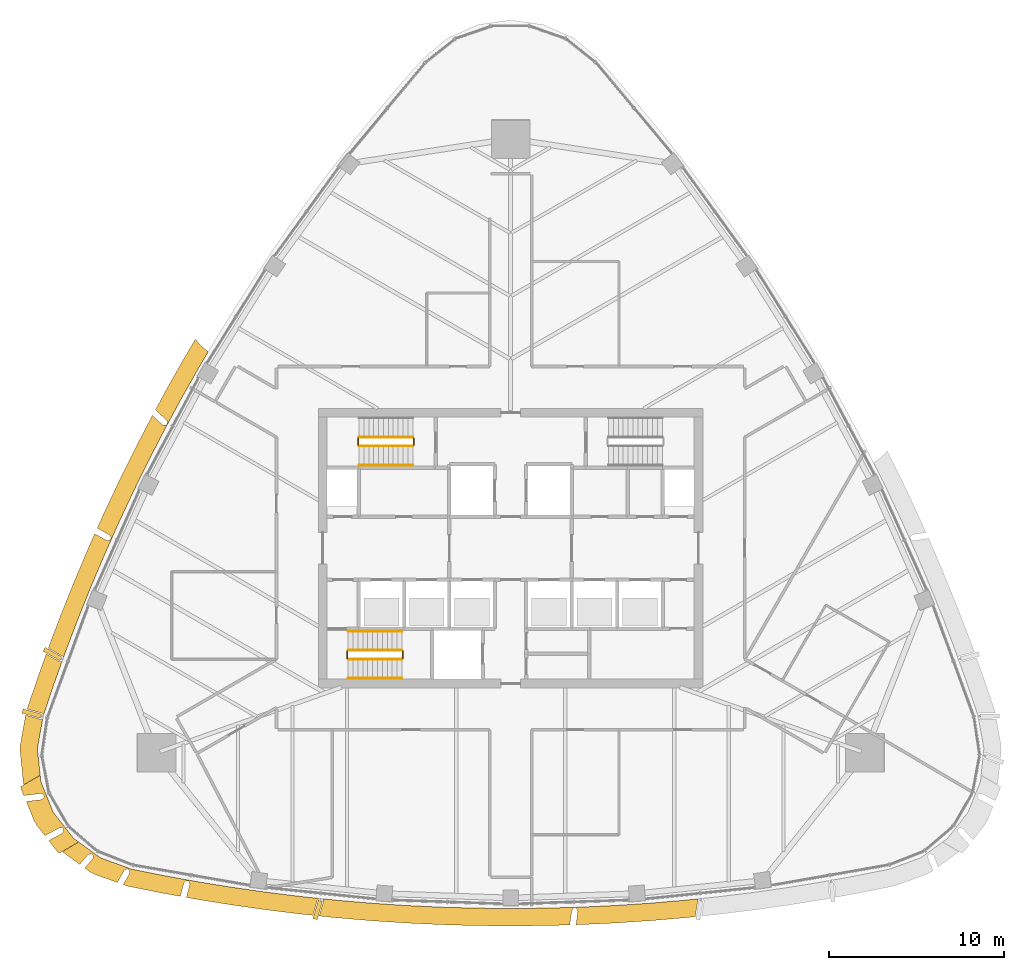
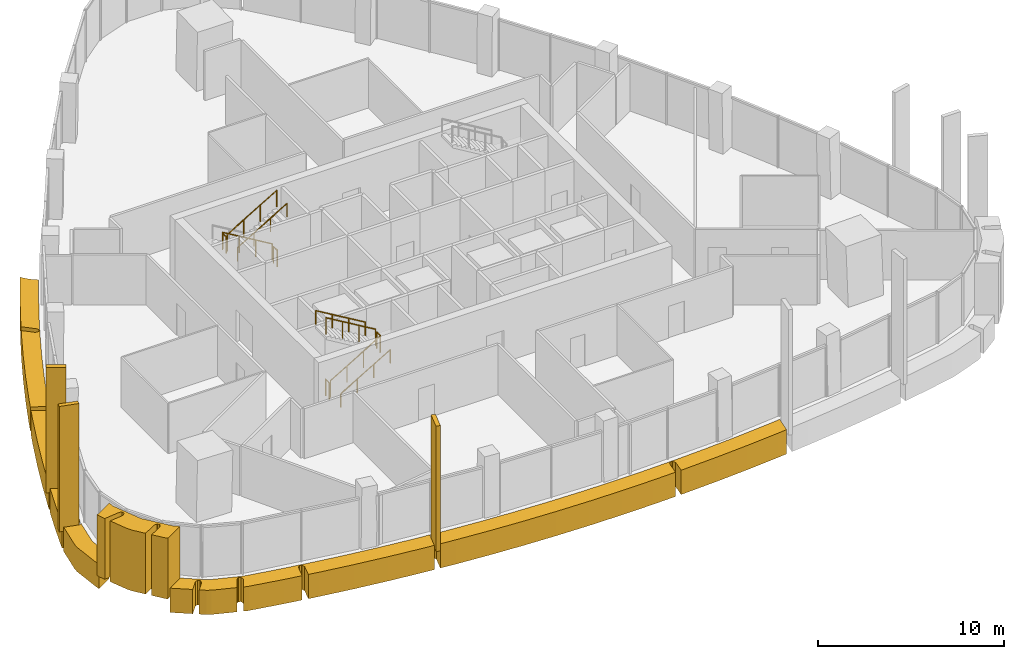
# One storey, part 14 of 16: 11 railings, 9 coverings.
"""IFC4 building model written with IfcOpenShell, lengths in metres."""

from ifc_helpers import new_model, si_unit, direction, frame, origin, origin_2d, place, context, subcontext, project, spatial, polyline, rectangle, circle, outline, extrude, material, layer, layer_set, material_profile, profile_set, type_object, element, save


model = new_model("IFC4")

# Units and contexts
model_context = context("Model", 3, precision=1e-05, world=origin(), true_north=direction((0.0, 1.0)))
body_context = subcontext(model_context, "Body", "Model", "MODEL_VIEW")
ifc_project = project(units=[si_unit("LENGTHUNIT", "METRE"), si_unit("AREAUNIT", "SQUARE_METRE"), si_unit("VOLUMEUNIT", "CUBIC_METRE"), si_unit("PLANEANGLEUNIT", "RADIAN"), si_unit("MASSUNIT", "GRAM", prefix="KILO")], contexts=[model_context])

# Site, building, storey
site_placement = place(None, origin())
site = spatial("IfcSite", under=ifc_project, at=site_placement, CompositionType="ELEMENT")
building_placement = place(site_placement, origin())
building = spatial("IfcBuilding", under=site, at=building_placement, Name="Sierra Prisma Convention Tower", CompositionType="ELEMENT")
storey_placement = place(building_placement, frame((0.0, 0.0, 303.0)))
storey = spatial("IfcBuildingStorey", under=building, at=storey_placement, Name="L69", CompositionType="ELEMENT", Elevation=303.0)

# Coverings
ifc_material_1 = material(Name="Aluminium composite bronze anodised", Category="aluminium")
ifc_layer_1 = layer(ifc_material_1, 1.199951171875)
ifc_layer_set_1 = layer_set([ifc_layer_1], Name="Bronze corner pier")
covering_type_1 = type_object("IfcCoveringType", Name="Bronze corner pier", PredefinedType="CLADDING", material=ifc_layer_set_1)
covering_1_placement = place(storey_placement, frame((0.0, 0.0, -0.60009765625)))
element("IfcCovering", 1, at=covering_1_placement, inside=storey, type_object=covering_type_1, Name="Corner pier SW L69.1", PredefinedType="CLADDING", context=body_context, shape_type="SweptSolid", body=[
    extrude(outline(polyline([(-25.6630859375, -16.32177734375), (-25.65966796875, -16.318603515625), (-25.656494140625, -16.3154296875), (-25.653564453125, -16.311767578125), (-25.65087890625, -16.307861328125), (-25.64892578125, -16.3037109375), (-25.582275390625, -16.15869140625), (-25.580322265625, -16.154296875), (-25.5791015625, -16.1494140625), (-25.578125, -16.14453125), (-25.57763671875, -16.139404296875), (-25.577880859375, -16.134521484375), (-25.578369140625, -16.129638671875), (-25.57958984375, -16.124755859375), (-25.5810546875, -16.1201171875), (-25.5830078125, -16.115478515625), (-25.58544921875, -16.111083984375), (-25.58837890625, -16.107177734375), (-25.64990234375, -16.0283203125), (-25.6533203125, -16.0244140625), (-25.656982421875, -16.02099609375), (-25.6611328125, -16.017822265625), (-25.66552734375, -16.01513671875), (-25.67041015625, -16.012939453125), (-25.67529296875, -16.01123046875), (-25.68017578125, -16.010009765625), (-25.685302734375, -16.00927734375), (-25.6904296875, -16.009033203125), (-25.81298828125, -16.01220703125), (-25.817626953125, -16.012451171875), (-25.822265625, -16.01318359375), (-25.82666015625, -16.014404296875), (-25.8310546875, -16.01611328125), (-25.835205078125, -16.01806640625), (-26.65380859375, -16.45361328125), (-27.123291015625, -15.853271484375), (-27.291015625, -15.56298828125), (-27.7216796875, -14.49560546875), (-26.861083984375, -14.390380859375), (-26.856201171875, -14.389404296875), (-26.851318359375, -14.38818359375), (-26.8466796875, -14.38623046875), (-26.84228515625, -14.384033203125), (-26.838134765625, -14.38134765625), (-26.834228515625, -14.37841796875), (-26.83056640625, -14.374755859375), (-26.7158203125, -14.252197265625), (-26.712646484375, -14.24853515625), (-26.7099609375, -14.24462890625), (-26.70751953125, -14.240478515625), (-26.705810546875, -14.236328125), (-26.7041015625, -14.231689453125), (-26.703125, -14.227294921875), (-26.702392578125, -14.222412109375), (-26.702392578125, -14.2177734375), (-26.702392578125, -14.213134765625), (-26.703125, -14.20849609375), (-26.704345703125, -14.203857421875), (-26.705810546875, -14.19921875), (-26.743408203125, -14.106689453125), (-26.745361328125, -14.10205078125), (-26.747802734375, -14.097900390625), (-26.750732421875, -14.09375), (-26.754150390625, -14.090087890625), (-26.7578125, -14.0869140625), (-26.76171875, -14.083740234375), (-26.76611328125, -14.081298828125), (-26.7705078125, -14.0791015625), (-26.775146484375, -14.077392578125), (-26.8828125, -14.044677734375), (-26.887939453125, -14.04345703125), (-26.89306640625, -14.042724609375), (-26.898193359375, -14.04248046875), (-26.903564453125, -14.04296875), (-27.857421875, -14.159423828125), (-28.00146484375, -13.802490234375), (-28.039794921875, -13.6484375), (-26.9248046875, -13.004638671875), (-26.888671875, -13.353515625), (-26.17822265625, -15.114013671875), (-25.0087890625, -16.609619140625), (-24.724853515625, -16.815185546875), (-25.839599609375, -17.458984375), (-25.953857421875, -17.3486328125), (-26.434814453125, -16.733642578125), (-25.6708984375, -16.326904296875), (-25.666748046875, -16.324462890625), (-25.6630859375, -16.32177734375)])), origin(), (0.0, 0.0, 1.0), 4.0),
])
ifc_material_2 = material(Name="Aluminium 6063-T6 bronze anodised", Category="aluminium")
ifc_material_profile = material_profile(ifc_material_2, rectangle(XDim=1.10009765625, YDim=0.25, at=origin_2d()), Name="ALU FIN 1100x250")
ifc_profile_set = profile_set([ifc_material_profile], Name="Aluminium 6063-T6 bronze anodised")
covering_type_2 = type_object("IfcCoveringType", Name="Bronze facade fin", PredefinedType="CLADDING", material=ifc_profile_set)
for number, where, z_axis, x_axis, name in (
    (2, (-11.042236328125, -20.70166015625, -0.300048828125), (0.0, 0.0, 1.0), (-0.274397900141, -0.961616239671, 0.0), "Fin L69.5"),
    (3, (-26.222412109375, -6.057861328125, -0.300048828125), (0.0, 0.0, 1.0), (-0.868078002473, 0.49642782116, 0.0), "Fin L69.61"),
    (4, (-27.40625, -9.4658203125, -0.300048828125), (0.0, 0.0, 1.0), (-0.965367495435, 0.260893845762, 0.0), "Fin L69.62"),
):
    element("IfcCovering", number, at=place(storey_placement, frame(where, z_axis=z_axis, x_axis=x_axis)), inside=storey, type_object=covering_type_2, Name=name, ObjectType="FIN", PredefinedType="CLADDING", context=body_context, shape_type="SweptSolid", body=[
        extrude(rectangle(XDim=1.10009765625, YDim=0.25, at=origin_2d()), origin(), (0.0, 0.0, 1.0), 8.25),
    ])
ifc_material_3 = material(Name="Aluminium composite bronze anodised", Category="aluminium")
ifc_layer_2 = layer(ifc_material_3, 1.0)
ifc_layer_set_2 = layer_set([ifc_layer_2], Name="Bronze spandrel band")
covering_type_3 = type_object("IfcCoveringType", Name="Bronze spandrel band", PredefinedType="CLADDING", material=ifc_layer_set_2)
covering_2_placement = place(storey_placement, frame((0.0, 0.0, -1.60009765625)))
element("IfcCovering", 5, at=covering_2_placement, inside=storey, type_object=covering_type_3, Name="Spandrel band L69.1", PredefinedType="CLADDING", context=body_context, shape_type="SweptSolid", body=[
    extrude(outline(polyline([(-23.1005859375, 0.446533203125), (-22.95068359375, 0.4619140625), (-22.946044921875, 0.46240234375), (-22.94140625, 0.463623046875), (-22.936767578125, 0.46533203125), (-22.9326171875, 0.46728515625), (-22.928466796875, 0.4697265625), (-22.924560546875, 0.472412109375), (-22.9208984375, 0.4755859375), (-22.91748046875, 0.479248046875), (-22.914794921875, 0.48291015625), (-22.912109375, 0.487060546875), (-22.909912109375, 0.4912109375), (-22.86962890625, 0.582763671875), (-22.867919921875, 0.58740234375), (-22.86669921875, 0.592041015625), (-22.86572265625, 0.5966796875), (-22.865478515625, 0.601806640625), (-22.865478515625, 0.6064453125), (-22.8662109375, 0.611328125), (-22.8671875, 0.6162109375), (-22.86865234375, 0.62060546875), (-22.87060546875, 0.625), (-22.872802734375, 0.62939453125), (-22.942626953125, 0.74169921875), (-22.945556640625, 0.745849609375), (-22.948974609375, 0.749755859375), (-22.95263671875, 0.753173828125), (-22.95654296875, 0.75634765625), (-22.9609375, 0.759033203125), (-23.66064453125, 1.14404296875), (-23.3232421875, 1.899658203125), (-23.315185546875, 1.916748046875), (-22.471435546875, 3.714111328125), (-22.46337890625, 3.73095703125), (-21.585693359375, 5.511962890625), (-21.577392578125, 5.52880859375), (-20.66650390625, 7.293212890625), (-20.65771484375, 7.309814453125), (-20.501953125, 7.597900390625), (-19.93798828125, 7.072998046875), (-19.93408203125, 7.06982421875), (-19.93017578125, 7.06689453125), (-19.92578125, 7.064697265625), (-19.921142578125, 7.062744140625), (-19.91650390625, 7.061279296875), (-19.91162109375, 7.060302734375), (-19.906494140625, 7.059814453125), (-19.73876953125, 7.05078125), (-19.734130859375, 7.05078125), (-19.7294921875, 7.05126953125), (-19.724609375, 7.052001953125), (-19.72021484375, 7.05322265625), (-19.7158203125, 7.05517578125), (-19.71142578125, 7.05712890625), (-19.70751953125, 7.059814453125), (-19.703857421875, 7.0625), (-19.7001953125, 7.06591796875), (-19.697265625, 7.0693359375), (-19.6943359375, 7.0732421875), (-19.69189453125, 7.077392578125), (-19.64501953125, 7.16552734375), (-19.64306640625, 7.170166015625), (-19.641357421875, 7.1748046875), (-19.64013671875, 7.1796875), (-19.639404296875, 7.1845703125), (-19.639404296875, 7.189453125), (-19.6396484375, 7.1943359375), (-19.640380859375, 7.19921875), (-19.6416015625, 7.2041015625), (-19.643310546875, 7.208740234375), (-19.6875, 7.312255859375), (-19.68994140625, 7.31689453125), (-19.692626953125, 7.3212890625), (-19.69580078125, 7.325439453125), (-19.699462890625, 7.3291015625), (-20.330078125, 7.916015625), (-19.7138671875, 9.056640625), (-19.70458984375, 9.072998046875), (-18.72802734375, 10.8017578125), (-18.71875, 10.818115234375), (-18.038330078125, 11.971435546875), (-18.003173828125, 11.91650390625), (-17.849853515625, 11.7236328125), (-17.6787109375, 11.54638671875), (-17.490966796875, 11.386962890625), (-17.30029296875, 11.25439453125), (-17.857421875, 10.31005859375), (-18.833984375, 8.581298828125), (-19.77783203125, 6.83447265625), (-20.688720703125, 5.070068359375), (-21.56640625, 3.2890625), (-22.41015625, 1.49169921875), (-23.22021484375, -0.321044921875), (-23.995849609375, -2.14892578125), (-24.737060546875, -3.990966796875), (-25.443359375, -5.846435546875), (-25.593994140625, -6.265869140625), (-25.64111328125, -6.19482421875), (-25.64404296875, -6.19091796875), (-25.647216796875, -6.1875), (-25.650390625, -6.184326171875), (-25.654296875, -6.181396484375), (-25.658203125, -6.178955078125), (-26.460693359375, -5.72021484375), (-26.384521484375, -5.50830078125), (-26.3779296875, -5.49072265625), (-25.67138671875, -3.635009765625), (-25.664794921875, -3.61767578125), (-24.923583984375, -1.775634765625), (-24.916259765625, -1.75830078125), (-24.140625, 0.069580078125), (-24.133056640625, 0.0869140625), (-23.803955078125, 0.823486328125), (-23.129638671875, 0.452392578125), (-23.125244140625, 0.4501953125), (-23.12060546875, 0.448486328125), (-23.115478515625, 0.447265625), (-23.110595703125, 0.446533203125), (-23.105712890625, 0.4462890625), (-23.1005859375, 0.446533203125)])), origin(), (0.0, 0.0, 1.0), 1.60009765625),
])
covering_3_placement = place(storey_placement, frame((0.0, 0.0, -1.60009765625)))
element("IfcCovering", 6, at=covering_3_placement, inside=storey, type_object=covering_type_3, Name="Spandrel band L69.3", PredefinedType="CLADDING", context=body_context, shape_type="SweptSolid", body=[
    extrude(outline(polyline([(-26.820068359375, -9.444091796875), (-26.82470703125, -9.44189453125), (-26.82958984375, -9.440185546875), (-27.676513671875, -9.21142578125), (-27.06201171875, -7.394775390625), (-27.055908203125, -7.376953125), (-26.580810546875, -6.0546875), (-25.831787109375, -6.48291015625), (-25.82763671875, -6.485107421875), (-25.823486328125, -6.48681640625), (-25.81884765625, -6.488037109375), (-25.814453125, -6.489013671875), (-25.809814453125, -6.489501953125), (-25.80517578125, -6.489501953125), (-25.800537109375, -6.489013671875), (-25.66796875, -6.471435546875), (-26.11474609375, -7.715087890625), (-26.728759765625, -9.5302734375), (-26.8076171875, -9.452880859375), (-26.811279296875, -9.449462890625), (-26.8154296875, -9.446533203125), (-26.820068359375, -9.444091796875)])), origin(), (0.0, 0.0, 1.0), 1.60009765625),
])
covering_4_placement = place(storey_placement, frame((0.0, 0.0, -1.60009765625)))
element("IfcCovering", 7, at=covering_4_placement, inside=storey, type_object=covering_type_3, Name="Spandrel band L69.4", PredefinedType="CLADDING", context=body_context, shape_type="SweptSolid", body=[
    extrude(outline(polyline([(-21.685791015625, -18.368896484375), (-19.739013671875, -18.758544921875), (-17.784912109375, -19.111328125), (-15.82470703125, -19.427490234375), (-13.85888671875, -19.70654296875), (-11.88818359375, -19.948486328125), (-10.99072265625, -20.041748046875), (-11.04833984375, -20.1044921875), (-11.051513671875, -20.108154296875), (-11.053955078125, -20.112060546875), (-11.056396484375, -20.115966796875), (-11.05810546875, -20.120361328125), (-11.0595703125, -20.124755859375), (-11.313232421875, -21.013671875), (-11.991455078125, -20.943359375), (-12.010009765625, -20.941162109375), (-13.980712890625, -20.698974609375), (-13.99951171875, -20.696533203125), (-15.96533203125, -20.41748046875), (-15.98388671875, -20.41455078125), (-17.944091796875, -20.0986328125), (-17.962646484375, -20.095458984375), (-18.561279296875, -19.9873046875), (-18.361083984375, -19.255615234375), (-18.360107421875, -19.250732421875), (-18.359619140625, -19.245849609375), (-18.359619140625, -19.24072265625), (-18.35986328125, -19.235595703125), (-18.36083984375, -19.230712890625), (-18.3623046875, -19.225830078125), (-18.412109375, -19.083740234375), (-18.4140625, -19.079345703125), (-18.416259765625, -19.0751953125), (-18.418701171875, -19.0712890625), (-18.421875, -19.0673828125), (-18.425048828125, -19.06396484375), (-18.4287109375, -19.060791015625), (-18.4326171875, -19.05810546875), (-18.436767578125, -19.055908203125), (-18.441162109375, -19.0537109375), (-18.44580078125, -19.05224609375), (-18.450439453125, -19.05126953125), (-18.548828125, -19.033447265625), (-18.5537109375, -19.03271484375), (-18.55859375, -19.03271484375), (-18.563232421875, -19.032958984375), (-18.568115234375, -19.03369140625), (-18.57275390625, -19.034912109375), (-18.577392578125, -19.03662109375), (-18.581787109375, -19.038818359375), (-18.5859375, -19.041259765625), (-18.58984375, -19.044189453125), (-18.59326171875, -19.04736328125), (-18.686279296875, -19.1416015625), (-18.689697265625, -19.145263671875), (-18.692626953125, -19.1494140625), (-18.695068359375, -19.15380859375), (-18.697265625, -19.158447265625), (-18.69873046875, -19.163330078125), (-18.906982421875, -19.9248046875), (-19.91650390625, -19.74267578125), (-19.93505859375, -19.739013671875), (-21.882080078125, -19.349609375), (-22.02587890625, -19.309326171875), (-22.175537109375, -19.25537109375), (-21.816162109375, -18.629638671875), (-21.814208984375, -18.62548828125), (-21.8125, -18.62109375), (-21.81103515625, -18.61669921875), (-21.81005859375, -18.6123046875), (-21.809814453125, -18.607666015625), (-21.8095703125, -18.60302734375), (-21.81005859375, -18.598388671875), (-21.83056640625, -18.440185546875), (-21.83154296875, -18.435302734375), (-21.832763671875, -18.430419921875), (-21.834716796875, -18.42578125), (-21.8369140625, -18.42138671875), (-21.839599609375, -18.417236328125), (-21.8427734375, -18.41357421875), (-21.84619140625, -18.409912109375), (-21.85009765625, -18.40673828125), (-21.854248046875, -18.40380859375), (-21.858642578125, -18.401611328125), (-21.86328125, -18.399658203125), (-21.957275390625, -18.36572265625), (-21.962158203125, -18.3642578125), (-21.96728515625, -18.36328125), (-21.972412109375, -18.36279296875), (-21.9775390625, -18.36279296875), (-21.982666015625, -18.36328125), (-21.98779296875, -18.364501953125), (-21.99267578125, -18.3662109375), (-21.997314453125, -18.368408203125), (-22.001708984375, -18.37109375), (-22.10400390625, -18.438720703125), (-22.107666015625, -18.44140625), (-22.111083984375, -18.4443359375), (-22.114501953125, -18.44775390625), (-22.1171875, -18.451416015625), (-22.11962890625, -18.455322265625), (-22.509765625, -19.134521484375), (-23.811279296875, -18.663818359375), (-24.05810546875, -18.533203125), (-24.376708984375, -18.302490234375), (-23.9248046875, -17.781005859375), (-23.921630859375, -17.77685546875), (-23.9189453125, -17.772705078125), (-23.91650390625, -17.76806640625), (-23.914794921875, -17.763427734375), (-23.91357421875, -17.758544921875), (-23.91259765625, -17.753662109375), (-23.896240234375, -17.60400390625), (-23.89599609375, -17.59912109375), (-23.896240234375, -17.59423828125), (-23.896728515625, -17.589599609375), (-23.89794921875, -17.5849609375), (-23.8994140625, -17.580322265625), (-23.9013671875, -17.575927734375), (-23.90380859375, -17.57177734375), (-23.906494140625, -17.56787109375), (-23.909423828125, -17.564208984375), (-23.912841796875, -17.560791015625), (-23.916748046875, -17.557861328125), (-23.997802734375, -17.499267578125), (-24.001708984375, -17.49658203125), (-24.006103515625, -17.494384765625), (-24.010498046875, -17.492431640625), (-24.01513671875, -17.4912109375), (-24.02001953125, -17.490234375), (-24.02490234375, -17.48974609375), (-24.02978515625, -17.48974609375), (-24.034423828125, -17.490234375), (-24.039306640625, -17.4912109375), (-24.0439453125, -17.49267578125), (-24.168212890625, -17.537353515625), (-24.173095703125, -17.539306640625), (-24.177490234375, -17.541748046875), (-24.181640625, -17.544677734375), (-24.185546875, -17.5478515625), (-24.189208984375, -17.551513671875), (-24.6611328125, -18.09619140625), (-25.595458984375, -17.419189453125), (-25.65380859375, -17.363037109375), (-24.7158203125, -16.821533203125), (-23.47119140625, -17.723388671875), (-21.685791015625, -18.368896484375)])), origin(), (0.0, 0.0, 1.0), 1.60009765625),
])
covering_5_placement = place(storey_placement, frame((0.0, 0.0, -1.60009765625)))
element("IfcCovering", 8, at=covering_5_placement, inside=storey, type_object=covering_type_3, Name="Spandrel band L69.5", PredefinedType="CLADDING", context=body_context, shape_type="SweptSolid", body=[
    extrude(outline(polyline([(-28.079345703125, -11.568115234375), (-28.069091796875, -11.289306640625), (-27.7587890625, -9.5517578125), (-26.9208984375, -9.7783203125), (-26.916015625, -9.779296875), (-26.910888671875, -9.77978515625), (-26.906005859375, -9.77978515625), (-26.90087890625, -9.779296875), (-26.89599609375, -9.778564453125), (-26.89111328125, -9.777099609375), (-26.77587890625, -9.736083984375), (-27.084716796875, -11.465087890625), (-26.92578125, -12.993896484375), (-27.86376953125, -13.53515625), (-27.88330078125, -13.45654296875), (-28.079345703125, -11.568115234375)])), origin(), (0.0, 0.0, 1.0), 1.60009765625),
])
covering_6_placement = place(storey_placement, frame((0.0, 0.0, -1.60009765625)))
element("IfcCovering", 9, at=covering_6_placement, inside=storey, type_object=covering_type_3, Name="Spandrel band L69.11", PredefinedType="CLADDING", context=body_context, shape_type="SweptSolid", body=[
    extrude(outline(polyline([(3.8466796875, -20.78369140625), (3.8466796875, -20.779052734375), (3.846435546875, -20.7744140625), (3.845458984375, -20.769775390625), (3.84423828125, -20.765380859375), (3.842529296875, -20.760986328125), (3.84033203125, -20.7568359375), (3.76220703125, -20.617919921875), (3.759521484375, -20.61376953125), (3.756591796875, -20.609619140625), (3.753173828125, -20.606201171875), (3.74951171875, -20.602783203125), (3.745361328125, -20.60009765625), (3.740966796875, -20.59765625), (3.736328125, -20.595703125), (3.731689453125, -20.593994140625), (3.726806640625, -20.593017578125), (3.721923828125, -20.592529296875), (3.716796875, -20.59228515625), (3.616943359375, -20.595947265625), (3.61181640625, -20.596435546875), (3.606689453125, -20.597412109375), (3.601806640625, -20.598876953125), (3.596923828125, -20.600830078125), (3.592529296875, -20.603515625), (3.588134765625, -20.6064453125), (3.584228515625, -20.609619140625), (3.580810546875, -20.613525390625), (3.57763671875, -20.61767578125), (3.508056640625, -20.718505859375), (3.505615234375, -20.722412109375), (3.50341796875, -20.7265625), (3.501953125, -20.73095703125), (3.50048828125, -20.7353515625), (3.499755859375, -20.739990234375), (3.385009765625, -21.562255859375), (2.013671875, -21.600830078125), (1.994873046875, -21.601318359375), (0.009521484375, -21.6201171875), (-0.009521484375, -21.6201171875), (-1.994873046875, -21.601318359375), (-2.013671875, -21.600830078125), (-3.998291015625, -21.544921875), (-4.01708984375, -21.544189453125), (-6.00048828125, -21.450927734375), (-6.019287109375, -21.449951171875), (-8.00048828125, -21.3193359375), (-8.019287109375, -21.31787109375), (-9.997802734375, -21.14990234375), (-10.0166015625, -21.148193359375), (-10.959716796875, -21.05029296875), (-10.72314453125, -20.220703125), (-10.721923828125, -20.21630859375), (-10.721435546875, -20.211669921875), (-10.72119140625, -20.20703125), (-10.721435546875, -20.202392578125), (-10.721923828125, -20.19775390625), (-10.72314453125, -20.193115234375), (-10.724609375, -20.188720703125), (-10.773193359375, -20.064208984375), (-9.9130859375, -20.153564453125), (-7.934814453125, -20.3212890625), (-5.95361328125, -20.451904296875), (-3.97021484375, -20.54541015625), (-1.985595703125, -20.601318359375), (0.0, -20.6201171875), (1.985595703125, -20.601318359375), (3.97021484375, -20.54541015625), (5.95361328125, -20.451904296875), (7.934814453125, -20.3212890625), (9.9130859375, -20.153564453125), (10.765380859375, -20.065185546875), (10.72607421875, -20.125732421875), (10.723388671875, -20.13037109375), (10.72119140625, -20.135009765625), (10.719482421875, -20.139892578125), (10.718505859375, -20.14501953125), (10.5673828125, -21.091064453125), (10.0166015625, -21.148193359375), (9.997802734375, -21.14990234375), (8.019287109375, -21.31787109375), (8.00048828125, -21.3193359375), (6.019287109375, -21.449951171875), (6.00048828125, -21.450927734375), (4.01708984375, -21.544189453125), (3.998291015625, -21.544921875), (3.73974609375, -21.55224609375), (3.846435546875, -20.788330078125), (3.8466796875, -20.78369140625)])), origin(), (0.0, 0.0, 1.0), 1.60009765625),
])

# Railings
ifc_material_4 = material(Name="Stainless steel", Category="steel")
railing_type_1 = type_object("IfcRailingType", Name="Exit stair handrail", PredefinedType="HANDRAIL", material=ifc_material_4)
railing_1_placement = place(storey_placement, frame((-9.300048828125, -7.449951171875, 0.166748046875)))
element("IfcRailing", 10, at=railing_1_placement, inside=storey, type_object=railing_type_1, Name="L69 S1 stair handrail 1", PredefinedType="HANDRAIL", context=body_context, shape_type="SweptSolid", body=[
    extrude(circle(Radius=0.02392578125, at=origin_2d()), frame((0.0, 0.0, 0.8759765625), z_axis=(0.859308565015, 0.0, 0.511457515432), x_axis=(0.0, 1.0, 0.0)), (0.0, 0.0, 1.0), 3.58447265625),
    extrude(circle(Radius=0.02099609375, at=origin_2d()), origin(), (0.0, 0.0, 1.0), 0.851806640625),
    extrude(circle(Radius=0.02099609375, at=origin_2d()), frame((1.026611328125, 0.0, 0.611083984375)), (0.0, 0.0, 1.0), 0.851806640625),
    extrude(circle(Radius=0.02099609375, at=origin_2d()), frame((2.053466796875, 0.0, 1.22216796875)), (0.0, 0.0, 1.0), 0.851806640625),
    extrude(circle(Radius=0.02099609375, at=origin_2d()), frame((3.080078125, 0.0, 1.833251953125)), (0.0, 0.0, 1.0), 0.851806640625),
])
railing_2_placement = place(storey_placement, frame((-6.219970703125, -4.75, 2.166748046875)))
element("IfcRailing", 11, at=railing_2_placement, inside=storey, type_object=railing_type_1, Name="L69 S1 stair handrail 2", PredefinedType="HANDRAIL", context=body_context, shape_type="SweptSolid", body=[
    extrude(circle(Radius=0.02392578125, at=origin_2d()), frame((0.0, 0.0, 0.8759765625), z_axis=(-0.859308565015, 0.0, 0.511457515432), x_axis=(0.0, -1.0, 0.0)), (0.0, 0.0, 1.0), 3.58447265625),
    extrude(circle(Radius=0.02099609375, at=origin_2d()), origin(), (0.0, 0.0, 1.0), 0.851806640625),
    extrude(circle(Radius=0.02099609375, at=origin_2d()), frame((-1.026611328125, 0.0, 0.611083984375)), (0.0, 0.0, 1.0), 0.851806640625),
    extrude(circle(Radius=0.02099609375, at=origin_2d()), frame((-2.053466796875, 0.0, 1.22216796875)), (0.0, 0.0, 1.0), 0.851806640625),
    extrude(circle(Radius=0.02099609375, at=origin_2d()), frame((-3.080078125, 0.0, 1.833251953125)), (0.0, 0.0, 1.0), 0.851806640625),
])
railing_3_placement = place(storey_placement, frame((-8.679931640625, 4.75, 2.166748046875)))
element("IfcRailing", 12, at=railing_3_placement, inside=storey, type_object=railing_type_1, Name="L69 S3 stair handrail 2", PredefinedType="HANDRAIL", context=body_context, shape_type="SweptSolid", body=[
    extrude(circle(Radius=0.02392578125, at=origin_2d()), frame((0.0, 0.0, 0.8759765625), z_axis=(0.859290745958, 0.0, 0.51148745235), x_axis=(0.0, 1.0, 0.0)), (0.0, 0.0, 1.0), 3.584228515625),
    extrude(circle(Radius=0.02099609375, at=origin_2d()), origin(), (0.0, 0.0, 1.0), 0.851806640625),
    extrude(circle(Radius=0.02099609375, at=origin_2d()), frame((1.026611328125, 0.0, 0.611083984375)), (0.0, 0.0, 1.0), 0.851806640625),
    extrude(circle(Radius=0.02099609375, at=origin_2d()), frame((2.05322265625, 0.0, 1.22216796875)), (0.0, 0.0, 1.0), 0.851806640625),
    extrude(circle(Radius=0.02099609375, at=origin_2d()), frame((3.079833984375, 0.0, 1.833251953125)), (0.0, 0.0, 1.0), 0.851806640625),
])
ifc_material_5 = material(Name="Stainless steel", Category="steel")
railing_type_2 = type_object("IfcRailingType", Name="Stair guard 1100", PredefinedType="GUARDRAIL", material=ifc_material_5)
railing_4_placement = place(storey_placement, frame((-9.300048828125, -6.35009765625, 0.166748046875)))
element("IfcRailing", 13, at=railing_4_placement, inside=storey, type_object=railing_type_2, Name="L69 S1 stair guard 1", PredefinedType="GUARDRAIL", context=body_context, shape_type="SweptSolid", body=[
    extrude(circle(Radius=0.02392578125, at=origin_2d()), frame((0.0, 0.0, 1.076171875), z_axis=(0.859308565015, 0.0, 0.511457515432), x_axis=(0.0, 1.0, 0.0)), (0.0, 0.0, 1.0), 3.58447265625),
    extrude(circle(Radius=0.02099609375, at=origin_2d()), origin(), (0.0, 0.0, 1.0), 1.052001953125),
    extrude(circle(Radius=0.02099609375, at=origin_2d()), frame((1.026611328125, 0.0, 0.611083984375)), (0.0, 0.0, 1.0), 1.052001953125),
    extrude(circle(Radius=0.02099609375, at=origin_2d()), frame((2.053466796875, 0.0, 1.22216796875)), (0.0, 0.0, 1.0), 1.052001953125),
    extrude(circle(Radius=0.02099609375, at=origin_2d()), frame((3.080078125, 0.0, 1.833251953125)), (0.0, 0.0, 1.0), 1.052001953125),
])
railing_5_placement = place(storey_placement, frame((-6.169921875, -6.300048828125, 2.0)))
element("IfcRailing", 14, at=railing_5_placement, inside=storey, type_object=railing_type_2, Name="L69 S1 stair guard 2", PredefinedType="GUARDRAIL", context=body_context, shape_type="SweptSolid", body=[
    extrude(circle(Radius=0.02392578125, at=origin_2d()), frame((0.0, 0.0, 1.076171875), z_axis=(0.0, 1.0, 0.0), x_axis=(-1.0, 0.0, 0.0)), (0.0, 0.0, 1.0), 0.400146484375),
    extrude(circle(Radius=0.02099609375, at=origin_2d()), origin(), (0.0, 0.0, 1.0), 1.052001953125),
    extrude(circle(Radius=0.02099609375, at=origin_2d()), frame((0.0, 0.400146484375, 0.0)), (0.0, 0.0, 1.0), 1.052001953125),
])
railing_6_placement = place(storey_placement, frame((-6.219970703125, -5.85009765625, 2.166748046875)))
element("IfcRailing", 15, at=railing_6_placement, inside=storey, type_object=railing_type_2, Name="L69 S1 stair guard 3", PredefinedType="GUARDRAIL", context=body_context, shape_type="SweptSolid", body=[
    extrude(circle(Radius=0.02392578125, at=origin_2d()), frame((0.0, 0.0, 1.076171875), z_axis=(-0.859308565015, 0.0, 0.511457515432), x_axis=(0.0, -1.0, 0.0)), (0.0, 0.0, 1.0), 3.58447265625),
    extrude(circle(Radius=0.02099609375, at=origin_2d()), origin(), (0.0, 0.0, 1.0), 1.052001953125),
    extrude(circle(Radius=0.02099609375, at=origin_2d()), frame((-1.026611328125, 0.0, 0.611083984375)), (0.0, 0.0, 1.0), 1.052001953125),
    extrude(circle(Radius=0.02099609375, at=origin_2d()), frame((-2.053466796875, 0.0, 1.22216796875)), (0.0, 0.0, 1.0), 1.052001953125),
    extrude(circle(Radius=0.02099609375, at=origin_2d()), frame((-3.080078125, 0.0, 1.833251953125)), (0.0, 0.0, 1.0), 1.052001953125),
])
railing_7_placement = place(storey_placement, frame((-9.35009765625, -6.300048828125, 0.0)))
element("IfcRailing", 16, at=railing_7_placement, inside=storey, type_object=railing_type_2, Name="L69 S1 stair guard 4", PredefinedType="GUARDRAIL", context=body_context, shape_type="SweptSolid", body=[
    extrude(circle(Radius=0.02392578125, at=origin_2d()), frame((0.0, 0.0, 1.076171875), z_axis=(0.0, 1.0, 0.0), x_axis=(-1.0, 0.0, 0.0)), (0.0, 0.0, 1.0), 0.400146484375),
    extrude(circle(Radius=0.02099609375, at=origin_2d()), origin(), (0.0, 0.0, 1.0), 1.052001953125),
    extrude(circle(Radius=0.02099609375, at=origin_2d()), frame((0.0, 0.400146484375, 0.0)), (0.0, 0.0, 1.0), 1.052001953125),
])
railing_8_placement = place(storey_placement, frame((-5.60009765625, 6.35009765625, 0.166748046875)))
element("IfcRailing", 17, at=railing_8_placement, inside=storey, type_object=railing_type_2, Name="L69 S3 stair guard 1", PredefinedType="GUARDRAIL", context=body_context, shape_type="SweptSolid", body=[
    extrude(circle(Radius=0.02392578125, at=origin_2d()), frame((0.0, 0.0, 1.076171875), z_axis=(-0.859290745958, 0.0, 0.51148745235), x_axis=(0.0, -1.0, 0.0)), (0.0, 0.0, 1.0), 3.584228515625),
    extrude(circle(Radius=0.02099609375, at=origin_2d()), origin(), (0.0, 0.0, 1.0), 1.052001953125),
    extrude(circle(Radius=0.02099609375, at=origin_2d()), frame((-1.026611328125, 0.0, 0.611083984375)), (0.0, 0.0, 1.0), 1.052001953125),
    extrude(circle(Radius=0.02099609375, at=origin_2d()), frame((-2.05322265625, 0.0, 1.22216796875)), (0.0, 0.0, 1.0), 1.052001953125),
    extrude(circle(Radius=0.02099609375, at=origin_2d()), frame((-3.079833984375, 0.0, 1.833251953125)), (0.0, 0.0, 1.0), 1.052001953125),
])
railing_9_placement = place(storey_placement, frame((-8.72998046875, 6.300048828125, 2.0)))
element("IfcRailing", 18, at=railing_9_placement, inside=storey, type_object=railing_type_2, Name="L69 S3 stair guard 2", PredefinedType="GUARDRAIL", context=body_context, shape_type="SweptSolid", body=[
    extrude(circle(Radius=0.02392578125, at=origin_2d()), frame((0.0, 0.0, 1.076171875), z_axis=(0.0, -1.0, 0.0), x_axis=(1.0, 0.0, 0.0)), (0.0, 0.0, 1.0), 0.400146484375),
    extrude(circle(Radius=0.02099609375, at=origin_2d()), origin(), (0.0, 0.0, 1.0), 1.052001953125),
    extrude(circle(Radius=0.02099609375, at=origin_2d()), frame((0.0, -0.400146484375, 0.0)), (0.0, 0.0, 1.0), 1.052001953125),
])
railing_10_placement = place(storey_placement, frame((-8.679931640625, 5.85009765625, 2.166748046875)))
element("IfcRailing", 19, at=railing_10_placement, inside=storey, type_object=railing_type_2, Name="L69 S3 stair guard 3", PredefinedType="GUARDRAIL", context=body_context, shape_type="SweptSolid", body=[
    extrude(circle(Radius=0.02392578125, at=origin_2d()), frame((0.0, 0.0, 1.076171875), z_axis=(0.859290745958, 0.0, 0.51148745235), x_axis=(0.0, 1.0, 0.0)), (0.0, 0.0, 1.0), 3.584228515625),
    extrude(circle(Radius=0.02099609375, at=origin_2d()), origin(), (0.0, 0.0, 1.0), 1.052001953125),
    extrude(circle(Radius=0.02099609375, at=origin_2d()), frame((1.026611328125, 0.0, 0.611083984375)), (0.0, 0.0, 1.0), 1.052001953125),
    extrude(circle(Radius=0.02099609375, at=origin_2d()), frame((2.05322265625, 0.0, 1.22216796875)), (0.0, 0.0, 1.0), 1.052001953125),
    extrude(circle(Radius=0.02099609375, at=origin_2d()), frame((3.079833984375, 0.0, 1.833251953125)), (0.0, 0.0, 1.0), 1.052001953125),
])
railing_11_placement = place(storey_placement, frame((-5.550048828125, 6.300048828125, 0.0)))
element("IfcRailing", 20, at=railing_11_placement, inside=storey, type_object=railing_type_2, Name="L69 S3 stair guard 4", PredefinedType="GUARDRAIL", context=body_context, shape_type="SweptSolid", body=[
    extrude(circle(Radius=0.02392578125, at=origin_2d()), frame((0.0, 0.0, 1.076171875), z_axis=(0.0, -1.0, 0.0), x_axis=(1.0, 0.0, 0.0)), (0.0, 0.0, 1.0), 0.400146484375),
    extrude(circle(Radius=0.02099609375, at=origin_2d()), origin(), (0.0, 0.0, 1.0), 1.052001953125),
    extrude(circle(Radius=0.02099609375, at=origin_2d()), frame((0.0, -0.400146484375, 0.0)), (0.0, 0.0, 1.0), 1.052001953125),
])

save(model, "model.ifc")
